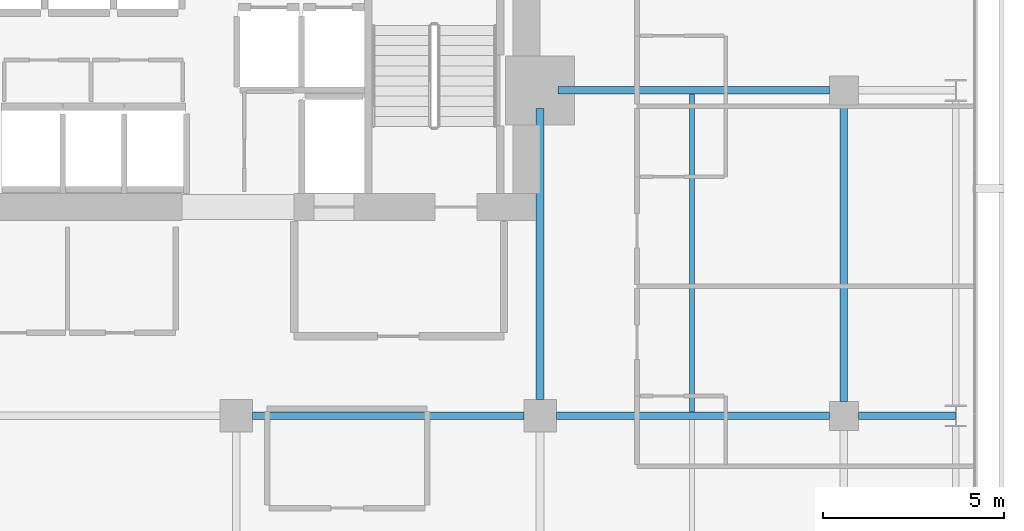
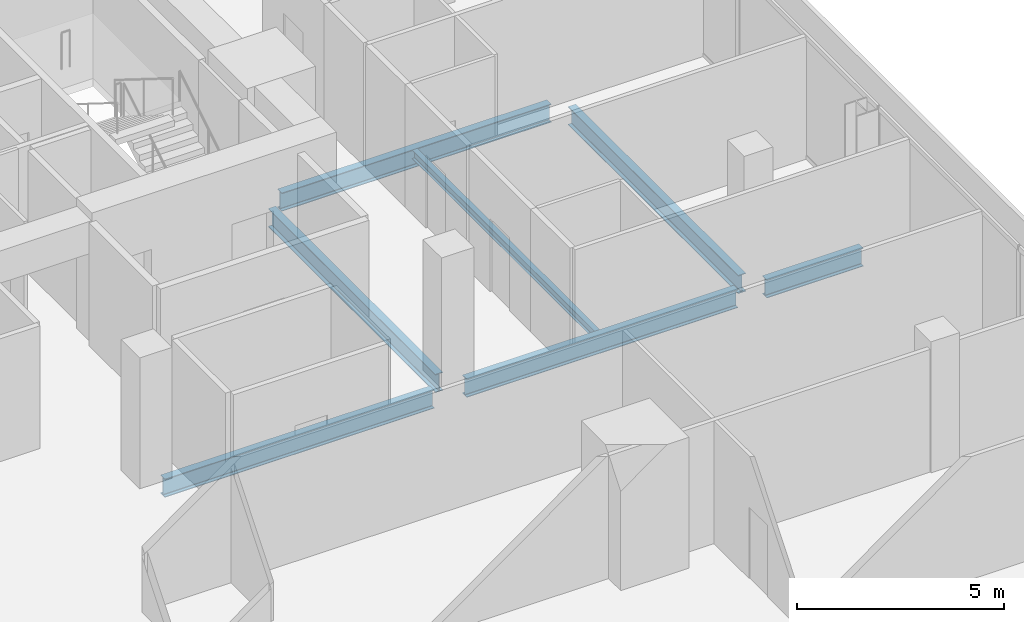
# One storey, part 23 of 34: 7 beams.
"""IFC4 building model written with IfcOpenShell, lengths in metres."""

from ifc_helpers import new_model, si_unit, direction, frame, origin, origin_2d, place, context, subcontext, project, spatial, i_section, extrude, material, material_profile, profile_set, type_object, element, save


model = new_model("IFC4")

# Units and contexts
model_context = context("Model", 3, precision=1e-05, world=origin(), true_north=direction((0.0, 1.0)))
body_context = subcontext(model_context, "Body", "Model", "MODEL_VIEW")
ifc_project = project(units=[si_unit("LENGTHUNIT", "METRE"), si_unit("AREAUNIT", "SQUARE_METRE"), si_unit("VOLUMEUNIT", "CUBIC_METRE"), si_unit("PLANEANGLEUNIT", "RADIAN"), si_unit("MASSUNIT", "GRAM", prefix="KILO")], contexts=[model_context])

# Site, building, storey
site_placement = place(None, origin())
site = spatial("IfcSite", under=ifc_project, at=site_placement, CompositionType="ELEMENT")
building_placement = place(site_placement, origin())
building = spatial("IfcBuilding", under=site, at=building_placement, Name="Maruvema Waterfront Hotel and Observation Tower", CompositionType="ELEMENT")
storey_placement = place(building_placement, frame((0.0, 0.0, 215.949951171875)))
storey = spatial("IfcBuildingStorey", under=building, at=storey_placement, Name="L53", CompositionType="ELEMENT", Elevation=215.949951171875)

# Beams
ifc_material_1 = material(Name="Steel ASTM A572 Grade 50", Category="steel")
ifc_material_profile_1 = material_profile(ifc_material_1, i_section(OverallWidth=0.2109375, OverallDepth=0.5390625, WebThickness=0.01171875, FlangeThickness=0.018798828125, FilletRadius=0.014892578125, at=origin_2d()), Name="W530x109.0")
ifc_profile_set_1 = profile_set([ifc_material_profile_1], Name="Steel ASTM A572 Grade 50")
beam_type_1 = type_object("IfcBeamType", Name="Primary Floor Girder W530x109.0", PredefinedType="BEAM", material=ifc_profile_set_1)
beam_1_placement = place(storey_placement, frame((42.449951171875, 36.0, -0.509521484375), z_axis=(1.0, 0.0, 0.0), x_axis=(0.0, 1.0, 0.0)))
element("IfcBeam", 1, at=beam_1_placement, inside=storey, type_object=beam_type_1, Name="L53 Floor Girder EW-27", PredefinedType="BEAM", context=body_context, shape_type="SweptSolid", body=[
    extrude(i_section(OverallWidth=0.2109375, OverallDepth=0.5390625, WebThickness=0.01171875, FlangeThickness=0.018798828125, FilletRadius=0.014892578125, at=origin_2d()), origin(), (0.0, 0.0, 1.0), 7.5),
])
beam_2_placement = place(storey_placement, frame((50.85009765625, 36.0, -0.509521484375), z_axis=(1.0, 0.0, 0.0), x_axis=(0.0, 1.0, 0.0)))
element("IfcBeam", 2, at=beam_2_placement, inside=storey, type_object=beam_type_1, Name="L53 Floor Girder EW-28", PredefinedType="BEAM", context=body_context, shape_type="SweptSolid", body=[
    extrude(i_section(OverallWidth=0.2109375, OverallDepth=0.5390625, WebThickness=0.01171875, FlangeThickness=0.018798828125, FilletRadius=0.014892578125, at=origin_2d()), origin(), (0.0, 0.0, 1.0), 7.5498046875),
])
beam_3_placement = place(storey_placement, frame((59.199951171875, 36.0, -0.509521484375), z_axis=(1.0, 0.0, 0.0), x_axis=(0.0, 1.0, 0.0)))
element("IfcBeam", 3, at=beam_3_placement, inside=storey, type_object=beam_type_1, Name="L53 Floor Girder EW-29", PredefinedType="BEAM", context=body_context, shape_type="SweptSolid", body=[
    extrude(i_section(OverallWidth=0.2109375, OverallDepth=0.5390625, WebThickness=0.01171875, FlangeThickness=0.018798828125, FilletRadius=0.014892578125, at=origin_2d()), origin(), (0.0, 0.0, 1.0), 2.6875),
])
beam_4_placement = place(storey_placement, frame((50.89990234375, 45.0, -0.509521484375), z_axis=(1.0, 0.0, 0.0), x_axis=(0.0, 1.0, 0.0)))
element("IfcBeam", 4, at=beam_4_placement, inside=storey, type_object=beam_type_1, Name="L53 Floor Girder EW-32", PredefinedType="BEAM", context=body_context, shape_type="SweptSolid", body=[
    extrude(i_section(OverallWidth=0.2109375, OverallDepth=0.5390625, WebThickness=0.01171875, FlangeThickness=0.018798828125, FilletRadius=0.014892578125, at=origin_2d()), origin(), (0.0, 0.0, 1.0), 7.5),
])
beam_5_placement = place(storey_placement, frame((50.39990234375, 36.449951171875, -0.509521484375), z_axis=(0.0, 1.0, 0.0), x_axis=(-1.0, 0.0, 0.0)))
element("IfcBeam", 5, at=beam_5_placement, inside=storey, type_object=beam_type_1, Name="L53 Floor Girder NS-24", PredefinedType="BEAM", context=body_context, shape_type="SweptSolid", body=[
    extrude(i_section(OverallWidth=0.2109375, OverallDepth=0.5390625, WebThickness=0.01171875, FlangeThickness=0.018798828125, FilletRadius=0.014892578125, at=origin_2d()), origin(), (0.0, 0.0, 1.0), 8.050048828125),
])
beam_6_placement = place(storey_placement, frame((58.800048828125, 36.39990234375, -0.509521484375), z_axis=(0.0, 1.0, 0.0), x_axis=(-1.0, 0.0, 0.0)))
element("IfcBeam", 6, at=beam_6_placement, inside=storey, type_object=beam_type_1, Name="L53 Floor Girder NS-28", PredefinedType="BEAM", context=body_context, shape_type="SweptSolid", body=[
    extrude(i_section(OverallWidth=0.2109375, OverallDepth=0.5390625, WebThickness=0.01171875, FlangeThickness=0.018798828125, FilletRadius=0.014892578125, at=origin_2d()), origin(), (0.0, 0.0, 1.0), 8.2001953125),
])
ifc_material_2 = material(Name="Steel ASTM A572 Grade 50", Category="steel")
ifc_material_profile_2 = material_profile(ifc_material_2, i_section(OverallWidth=0.14599609375, OverallDepth=0.258056640625, WebThickness=0.006103515625, FlangeThickness=0.009033203125, FilletRadius=0.012939453125, at=origin_2d()), Name="W250x32.7")
ifc_profile_set_2 = profile_set([ifc_material_profile_2], Name="Steel ASTM A572 Grade 50")
beam_type_2 = type_object("IfcBeamType", Name="Secondary Floor Joist W250x32.7", PredefinedType="JOIST", material=ifc_profile_set_2)
beam_7_placement = place(storey_placement, frame((54.60009765625, 36.10546875, -0.368896484375), z_axis=(0.0, 1.0, 0.0), x_axis=(-1.0, 0.0, 0.0)))
element("IfcBeam", 7, at=beam_7_placement, inside=storey, type_object=beam_type_2, Name="L53 Secondary Floor Joist JS-14", PredefinedType="JOIST", context=body_context, shape_type="SweptSolid", body=[
    extrude(i_section(OverallWidth=0.14599609375, OverallDepth=0.258056640625, WebThickness=0.006103515625, FlangeThickness=0.009033203125, FilletRadius=0.012939453125, at=origin_2d()), origin(), (0.0, 0.0, 1.0), 8.7890625),
])

save(model, "model.ifc")
